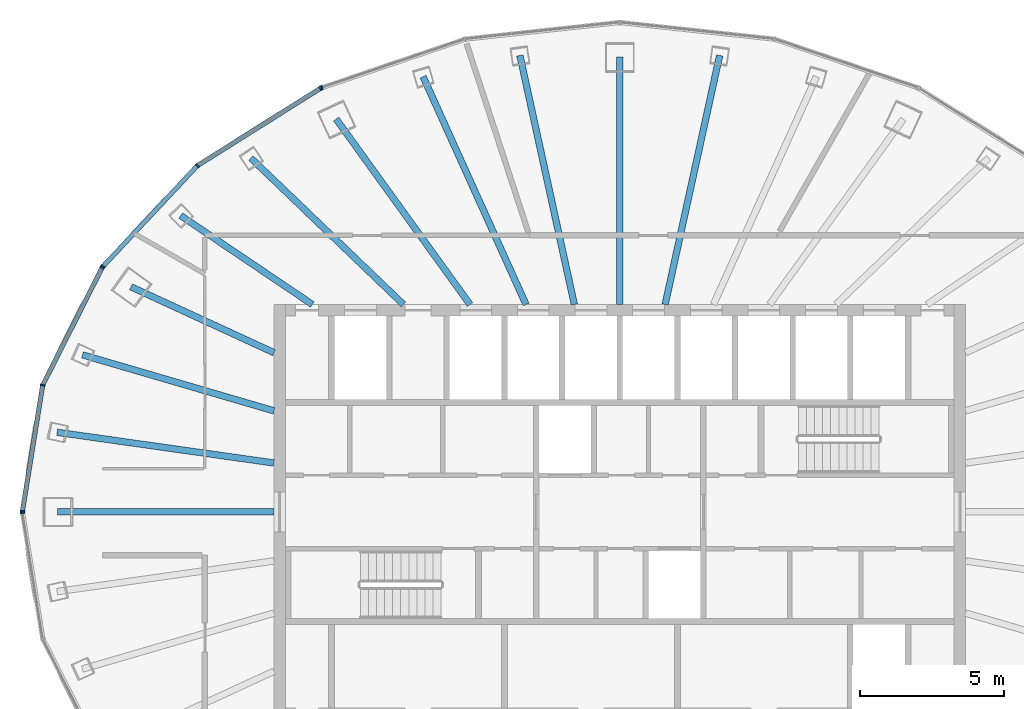
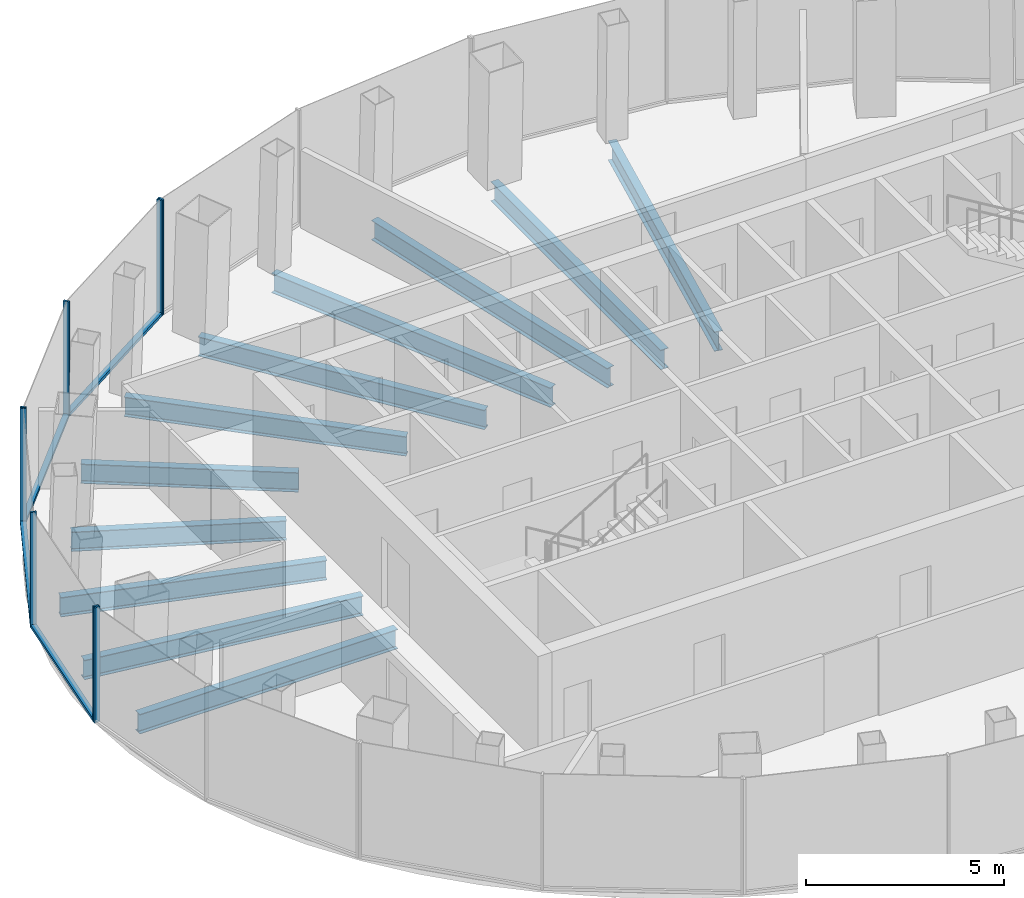
# One storey, part 4 of 11: 12 members, 11 beams, 4 elements without a shape of their own.
"""IFC4 building model written with IfcOpenShell, lengths in metres."""

from ifc_helpers import new_model, si_unit, direction, frame, origin, origin_2d, place, context, subcontext, project, spatial, rectangle, i_section, extrude, material, layer, layer_set, material_profile, profile_set, type_object, element, aggregate, save


model = new_model("IFC4")

# Units and contexts
model_context = context("Model", 3, precision=1e-05, world=origin(), true_north=direction((0.0, 1.0)))
body_context = subcontext(model_context, "Body", "Model", "MODEL_VIEW")
ifc_project = project(units=[si_unit("LENGTHUNIT", "METRE"), si_unit("AREAUNIT", "SQUARE_METRE"), si_unit("VOLUMEUNIT", "CUBIC_METRE"), si_unit("PLANEANGLEUNIT", "RADIAN"), si_unit("MASSUNIT", "GRAM", prefix="KILO")], contexts=[model_context])

# Site, building, storey
site_placement = place(None, origin())
site = spatial("IfcSite", under=ifc_project, at=site_placement, CompositionType="ELEMENT")
building_placement = place(site_placement, origin())
building = spatial("IfcBuilding", under=site, at=building_placement, Name="Siaravel Broadcast Tower", CompositionType="ELEMENT")
storey_placement = place(building_placement, frame((0.0, 0.0, 257.800048828125)))
storey = spatial("IfcBuildingStorey", under=building, at=storey_placement, Name="L63", CompositionType="ELEMENT", Elevation=257.800048828125)

# Beams
ifc_material_1 = material(Name="Steel S355", Category="steel")
ifc_material_profile_1 = material_profile(ifc_material_1, i_section(OverallWidth=0.2275390625, OverallDepth=0.6025390625, WebThickness=0.010498046875, FlangeThickness=0.014892578125, FilletRadius=0.0126953125, at=origin_2d()))
ifc_profile_set_1 = profile_set([ifc_material_profile_1], Name="Steel S355")
beam_type = type_object("IfcBeamType", Name="BM-UB 610x229x101", PredefinedType="BEAM", material=ifc_profile_set_1)
beam_1_placement = place(storey_placement, frame((3.46630859375, 15.84130859375, -0.451416015625), z_axis=(-0.213758611, -0.976886511, 0.0), x_axis=(0.976886511, -0.213758611, 0.0)))
element("IfcBeam", 1, at=beam_1_placement, inside=storey, type_object=beam_type, Name="Radial beam RB09", PredefinedType="BEAM", context=body_context, shape_type="SweptSolid", body=[
    extrude(i_section(OverallWidth=0.2275390625, OverallDepth=0.6025390625, WebThickness=0.010498046875, FlangeThickness=0.014892578125, FilletRadius=0.0126953125, at=origin_2d()), origin(), (0.0, 0.0, 1.0), 8.845703125),
])
beam_2_placement = place(storey_placement, frame((0.0, 15.789794921875, -0.451416015625), z_axis=(0.0, -1.0, 0.0), x_axis=(1.0, 0.0, 0.0)))
element("IfcBeam", 2, at=beam_2_placement, inside=storey, type_object=beam_type, Name="Radial beam RB10", PredefinedType="BEAM", context=body_context, shape_type="SweptSolid", body=[
    extrude(i_section(OverallWidth=0.2275390625, OverallDepth=0.6025390625, WebThickness=0.010498046875, FlangeThickness=0.014892578125, FilletRadius=0.0126953125, at=origin_2d()), origin(), (0.0, 0.0, 1.0), 8.58984375),
])
beam_3_placement = place(storey_placement, frame((-3.46630859375, 15.84130859375, -0.451416015625), z_axis=(0.213758611, -0.976886511, 0.0), x_axis=(0.976886511, 0.213758611, 0.0)))
element("IfcBeam", 3, at=beam_3_placement, inside=storey, type_object=beam_type, Name="Radial beam RB11", PredefinedType="BEAM", context=body_context, shape_type="SweptSolid", body=[
    extrude(i_section(OverallWidth=0.2275390625, OverallDepth=0.6025390625, WebThickness=0.010498046875, FlangeThickness=0.014892578125, FilletRadius=0.0126953125, at=origin_2d()), origin(), (0.0, 0.0, 1.0), 8.845703125),
])
beam_4_placement = place(storey_placement, frame((-6.82373046875, 15.1044921875, -0.451416015625), z_axis=(0.41170663, -0.911316439, 0.0), x_axis=(0.911316439, 0.41170663, 0.0)))
element("IfcBeam", 4, at=beam_4_placement, inside=storey, type_object=beam_type, Name="Radial beam RB12", PredefinedType="BEAM", context=body_context, shape_type="SweptSolid", body=[
    extrude(i_section(OverallWidth=0.2275390625, OverallDepth=0.6025390625, WebThickness=0.010498046875, FlangeThickness=0.014892578125, FilletRadius=0.0126953125, at=origin_2d()), origin(), (0.0, 0.0, 1.0), 8.673828125),
])
beam_5_placement = place(storey_placement, frame((-9.839599609375, 13.632568359375, -0.451416015625), z_axis=(0.585245577, -0.8108561, 0.0), x_axis=(0.8108561, 0.585245577, 0.0)))
element("IfcBeam", 5, at=beam_5_placement, inside=storey, type_object=beam_type, Name="Radial beam RB13", PredefinedType="BEAM", context=body_context, shape_type="SweptSolid", body=[
    extrude(i_section(OverallWidth=0.2275390625, OverallDepth=0.6025390625, WebThickness=0.010498046875, FlangeThickness=0.014892578125, FilletRadius=0.0126953125, at=origin_2d()), origin(), (0.0, 0.0, 1.0), 7.93310546875),
])
beam_6_placement = place(storey_placement, frame((-12.80078125, 12.279052734375, -0.451416015625), z_axis=(0.721645274, -0.692263027, 0.0), x_axis=(0.692263027, 0.721645274, 0.0)))
element("IfcBeam", 6, at=beam_6_placement, inside=storey, type_object=beam_type, Name="Radial beam RB14", PredefinedType="BEAM", context=body_context, shape_type="SweptSolid", body=[
    extrude(i_section(OverallWidth=0.2275390625, OverallDepth=0.6025390625, WebThickness=0.010498046875, FlangeThickness=0.014892578125, FilletRadius=0.0126953125, at=origin_2d()), origin(), (0.0, 0.0, 1.0), 7.3369140625),
])
beam_7_placement = place(storey_placement, frame((-15.23681640625, 10.2841796875, -0.451416015625), z_axis=(0.828854835, -0.559463728, 0.0), x_axis=(0.559463728, 0.828854835, 0.0)))
element("IfcBeam", 7, at=beam_7_placement, inside=storey, type_object=beam_type, Name="Radial beam RB15", PredefinedType="BEAM", context=body_context, shape_type="SweptSolid", body=[
    extrude(i_section(OverallWidth=0.2275390625, OverallDepth=0.6025390625, WebThickness=0.010498046875, FlangeThickness=0.014892578125, FilletRadius=0.0126953125, at=origin_2d()), origin(), (0.0, 0.0, 1.0), 5.512939453125),
])
beam_8_placement = place(storey_placement, frame((-16.9580078125, 7.811279296875, -0.451416015625), z_axis=(0.908264143, -0.418397235, 0.0), x_axis=(0.418397235, 0.908264143, 0.0)))
element("IfcBeam", 8, at=beam_8_placement, inside=storey, type_object=beam_type, Name="Radial beam RB16", PredefinedType="BEAM", context=body_context, shape_type="SweptSolid", body=[
    extrude(i_section(OverallWidth=0.2275390625, OverallDepth=0.6025390625, WebThickness=0.010498046875, FlangeThickness=0.014892578125, FilletRadius=0.0126953125, at=origin_2d()), origin(), (0.0, 0.0, 1.0), 5.458740234375),
])
beam_9_placement = place(storey_placement, frame((-18.64501953125, 5.451904296875, -0.451416015625), z_axis=(0.959806244, -0.280663454, 0.0), x_axis=(0.280663454, 0.959806244, 0.0)))
element("IfcBeam", 9, at=beam_9_placement, inside=storey, type_object=beam_type, Name="Radial beam RB17", PredefinedType="BEAM", context=body_context, shape_type="SweptSolid", body=[
    extrude(i_section(OverallWidth=0.2275390625, OverallDepth=0.6025390625, WebThickness=0.010498046875, FlangeThickness=0.014892578125, FilletRadius=0.0126953125, at=origin_2d()), origin(), (0.0, 0.0, 1.0), 6.92333984375),
])
beam_10_placement = place(storey_placement, frame((-19.5244140625, 2.764404296875, -0.451416015625), z_axis=(0.990127962, -0.140166395, 0.0), x_axis=(0.140166395, 0.990127962, 0.0)))
element("IfcBeam", 10, at=beam_10_placement, inside=storey, type_object=beam_type, Name="Radial beam RB18", PredefinedType="BEAM", context=body_context, shape_type="SweptSolid", body=[
    extrude(i_section(OverallWidth=0.2275390625, OverallDepth=0.6025390625, WebThickness=0.010498046875, FlangeThickness=0.014892578125, FilletRadius=0.0126953125, at=origin_2d()), origin(), (0.0, 0.0, 1.0), 7.599365234375),
])
beam_11_placement = place(storey_placement, frame((-19.51953125, 0.0, -0.451416015625), z_axis=(1.0, 0.0, 0.0), x_axis=(0.0, 1.0, 0.0)))
element("IfcBeam", 11, at=beam_11_placement, inside=storey, type_object=beam_type, Name="Radial beam RB19", PredefinedType="BEAM", context=body_context, shape_type="SweptSolid", body=[
    extrude(i_section(OverallWidth=0.2275390625, OverallDepth=0.6025390625, WebThickness=0.010498046875, FlangeThickness=0.014892578125, FilletRadius=0.0126953125, at=origin_2d()), origin(), (0.0, 0.0, 1.0), 7.51953125),
])

# Curtain wall, member
ifc_material_2 = material(Name="Aluminium 6063-T6", Category="aluminium")
ifc_layer = layer(ifc_material_2, 0.159912109375)
ifc_layer_set = layer_set([ifc_layer], Name="Aluminium 6063-T6")
curtain_wall_type = type_object("IfcCurtainWallType", Name="Unitised curtain wall, zone 4", PredefinedType="NOTDEFINED", material=ifc_layer_set)
curtain_wall_1_placement = place(storey_placement, origin())
curtain_wall_1 = element("IfcCurtainWall", 12, at=curtain_wall_1_placement, inside=storey, type_object=curtain_wall_type, Name="L63 Unitised curtain wall, zone 4 04", PredefinedType="NOTDEFINED")
ifc_material_profile_2 = material_profile(ifc_material_2, rectangle(XDim=0.159912109375, YDim=0.054931640625, at=origin_2d()))
ifc_profile_set_2 = profile_set([ifc_material_profile_2], Name="Aluminium 6063-T6")
member_type_1 = type_object("IfcMemberType", Name="CW-Z4 mullion", PredefinedType="MULLION", material=ifc_profile_set_2)
member_1_placement = place(storey_placement, frame((-10.337158203125, 14.726318359375, 0.0), z_axis=(0.0, 0.0, 1.0), x_axis=(0.321301584, -0.946976923, 0.0)))
member_1 = element("IfcMember", 13, at=member_1_placement, type_object=member_type_1, Name="CW-Z4 mullion 3", PredefinedType="MULLION", context=body_context, shape_type="SweptSolid", body=[
    extrude(rectangle(XDim=0.159912109375, YDim=0.054931640625, at=origin_2d()), origin(), (0.0, 0.0, 1.0), 3.550048828125),
])
aggregate(curtain_wall_1, [member_1])

# Curtain wall, members
curtain_wall_2_placement = place(storey_placement, origin())
curtain_wall_2 = element("IfcCurtainWall", 14, at=curtain_wall_2_placement, inside=storey, type_object=curtain_wall_type, Name="L63 Unitised curtain wall, zone 4 05", PredefinedType="NOTDEFINED")
member_2_placement = place(storey_placement, frame((-10.386474609375, 14.702880859375, 0.0), z_axis=(0.0, 0.0, 1.0), x_axis=(0.532150638, -0.84664969, 0.0)))
member_2 = element("IfcMember", 15, at=member_2_placement, type_object=member_type_1, Name="CW-Z4 mullion 1", PredefinedType="MULLION", context=body_context, shape_type="SweptSolid", body=[
    extrude(rectangle(XDim=0.159912109375, YDim=0.054931640625, at=origin_2d()), origin(), (0.0, 0.0, 1.0), 3.550048828125),
])
member_3_placement = place(storey_placement, frame((-14.6572265625, 12.0185546875, 0.0), z_axis=(0.0, 0.0, 1.0), x_axis=(0.636220107, -0.771507599, 0.0)))
member_3 = element("IfcMember", 16, at=member_3_placement, type_object=member_type_1, Name="CW-Z4 mullion 2", PredefinedType="MULLION", context=body_context, shape_type="SweptSolid", body=[
    extrude(rectangle(XDim=0.159912109375, YDim=0.054931640625, at=origin_2d()), origin(), (0.0, 0.0, 1.0), 3.550048828125),
])
member_4_placement = place(storey_placement, frame((-17.9345703125, 8.52001953125, 0.0), z_axis=(0.0, 0.0, 1.0), x_axis=(0.729806711, -0.683653541, 0.0)))
member_4 = element("IfcMember", 17, at=member_4_placement, type_object=member_type_1, Name="CW-Z4 mullion 3", PredefinedType="MULLION", context=body_context, shape_type="SweptSolid", body=[
    extrude(rectangle(XDim=0.159912109375, YDim=0.054931640625, at=origin_2d()), origin(), (0.0, 0.0, 1.0), 3.550048828125),
])

curtain_wall_3_placement = place(storey_placement, origin())
curtain_wall_3 = element("IfcCurtainWall", 18, at=curtain_wall_3_placement, inside=storey, type_object=curtain_wall_type, Name="L63 Unitised curtain wall, zone 4 06", PredefinedType="NOTDEFINED")
member_5_placement = place(storey_placement, frame((-17.9658203125, 8.475341796875, 0.0), z_axis=(0.0, 0.0, 1.0), x_axis=(0.892393007, -0.45125904, 0.0)))
member_5 = element("IfcMember", 19, at=member_5_placement, type_object=member_type_1, Name="CW-Z4 mullion 1", PredefinedType="MULLION", context=body_context, shape_type="SweptSolid", body=[
    extrude(rectangle(XDim=0.159912109375, YDim=0.054931640625, at=origin_2d()), origin(), (0.0, 0.0, 1.0), 3.550048828125),
])
member_6_placement = place(storey_placement, frame((-20.0263671875, 4.400390625, 0.0), z_axis=(0.0, 0.0, 1.0), x_axis=(0.951177667, -0.30864388, 0.0)))
member_6 = element("IfcMember", 20, at=member_6_placement, type_object=member_type_1, Name="CW-Z4 mullion 2", PredefinedType="MULLION", context=body_context, shape_type="SweptSolid", body=[
    extrude(rectangle(XDim=0.159912109375, YDim=0.054931640625, at=origin_2d()), origin(), (0.0, 0.0, 1.0), 3.550048828125),
])
member_7_placement = place(storey_placement, frame((-20.729248046875, 0.027099609375, 0.0), z_axis=(0.0, 0.0, 1.0), x_axis=(0.987329322, -0.158684626, 0.0)))
member_7 = element("IfcMember", 21, at=member_7_placement, type_object=member_type_1, Name="CW-Z4 mullion 3", PredefinedType="MULLION", context=body_context, shape_type="SweptSolid", body=[
    extrude(rectangle(XDim=0.159912109375, YDim=0.054931640625, at=origin_2d()), origin(), (0.0, 0.0, 1.0), 3.550048828125),
])

# Curtain wall, member
curtain_wall_4_placement = place(storey_placement, origin())
curtain_wall_4 = element("IfcCurtainWall", 22, at=curtain_wall_4_placement, inside=storey, type_object=curtain_wall_type, Name="L63 Unitised curtain wall, zone 4 07", PredefinedType="NOTDEFINED")
member_8_placement = place(storey_placement, frame((-20.729248046875, -0.027099609375, 0.0), z_axis=(0.0, 0.0, 1.0), x_axis=(0.987329322, 0.158684626, 0.0)))
member_8 = element("IfcMember", 23, at=member_8_placement, type_object=member_type_1, Name="CW-Z4 mullion 1", PredefinedType="MULLION", context=body_context, shape_type="SweptSolid", body=[
    extrude(rectangle(XDim=0.159912109375, YDim=0.054931640625, at=origin_2d()), origin(), (0.0, 0.0, 1.0), 3.550048828125),
])
aggregate(curtain_wall_4, [member_8])

# Member
ifc_material_profile_3 = material_profile(ifc_material_2, rectangle(XDim=0.159912109375, YDim=0.090087890625, at=origin_2d()))
ifc_profile_set_3 = profile_set([ifc_material_profile_3], Name="Aluminium 6063-T6")
member_type_2 = type_object("IfcMemberType", Name="CW-Z4 transom", PredefinedType="USERDEFINED", material=ifc_profile_set_3)
member_9_placement = place(storey_placement, frame((-10.40966796875, 14.688232421875, 0.044921875), z_axis=(-0.846648518, -0.532152504, 0.0), x_axis=(0.532152504, -0.846648518, 0.0)))
member_9 = element("IfcMember", 24, at=member_9_placement, type_object=member_type_2, Name="CW-Z4 transom 1", ObjectType="TRANSOM", PredefinedType="USERDEFINED", context=body_context, shape_type="SweptSolid", body=[
    extrude(rectangle(XDim=0.159912109375, YDim=0.090087890625, at=origin_2d()), origin(), (0.0, 0.0, 1.0), 4.9892578125),
])

member_10_placement = place(storey_placement, frame((-14.676025390625, 11.99853515625, 0.044921875), z_axis=(-0.683649743, -0.729810269, 0.0), x_axis=(0.729810269, -0.683649743, 0.0)))
member_10 = element("IfcMember", 25, at=member_10_placement, type_object=member_type_2, Name="CW-Z4 transom 2", ObjectType="TRANSOM", PredefinedType="USERDEFINED", context=body_context, shape_type="SweptSolid", body=[
    extrude(rectangle(XDim=0.159912109375, YDim=0.090087890625, at=origin_2d()), origin(), (0.0, 0.0, 1.0), 4.739013671875),
])

aggregate(curtain_wall_2, [member_2, member_3, member_4, member_9, member_10])

member_11_placement = place(storey_placement, frame((-17.978271484375, 8.45068359375, 0.044921875), z_axis=(-0.451257233, -0.892393921, 0.0), x_axis=(0.892393921, -0.451257233, 0.0)))
member_11 = element("IfcMember", 26, at=member_11_placement, type_object=member_type_2, Name="CW-Z4 transom 1", ObjectType="TRANSOM", PredefinedType="USERDEFINED", context=body_context, shape_type="SweptSolid", body=[
    extrude(rectangle(XDim=0.159912109375, YDim=0.090087890625, at=origin_2d()), origin(), (0.0, 0.0, 1.0), 4.510986328125),
])

member_12_placement = place(storey_placement, frame((-20.03076171875, 4.373291015625, 0.044921875), z_axis=(-0.158667409, -0.987332089, 0.0), x_axis=(0.987332089, -0.158667409, 0.0)))
member_12 = element("IfcMember", 27, at=member_12_placement, type_object=member_type_2, Name="CW-Z4 transom 2", ObjectType="TRANSOM", PredefinedType="USERDEFINED", context=body_context, shape_type="SweptSolid", body=[
    extrude(rectangle(XDim=0.159912109375, YDim=0.090087890625, at=origin_2d()), origin(), (0.0, 0.0, 1.0), 4.37451171875),
])

aggregate(curtain_wall_3, [member_5, member_6, member_7, member_11, member_12])

save(model, "model.ifc")
